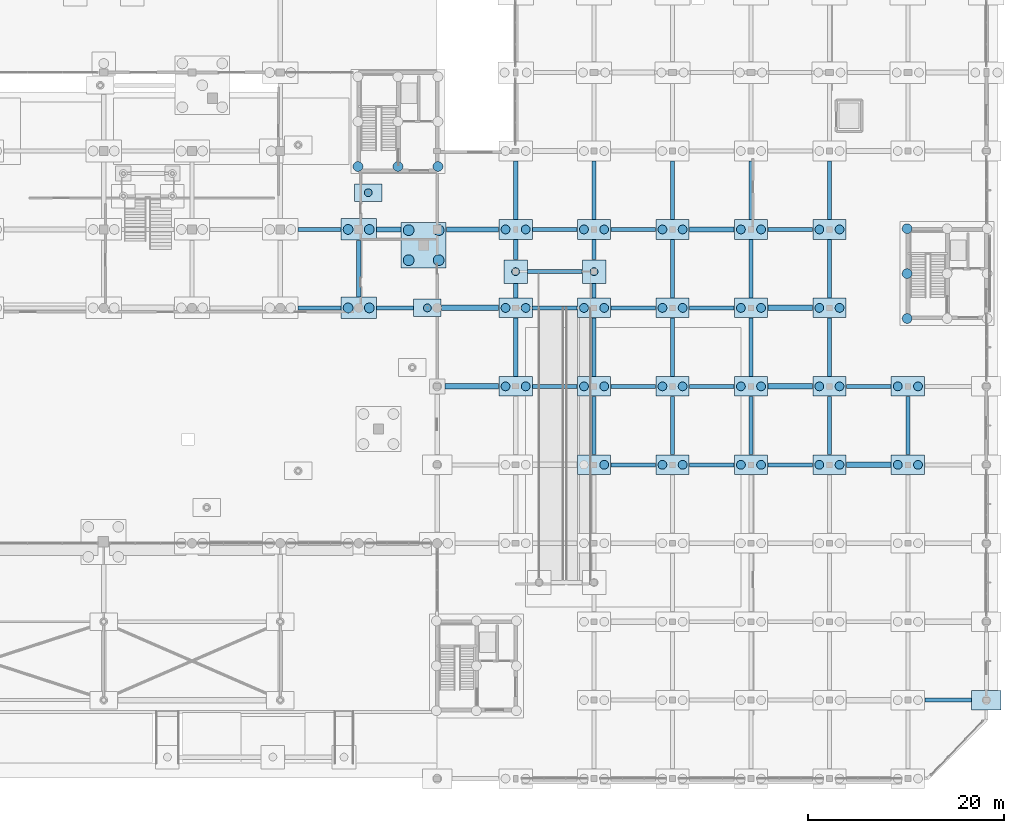
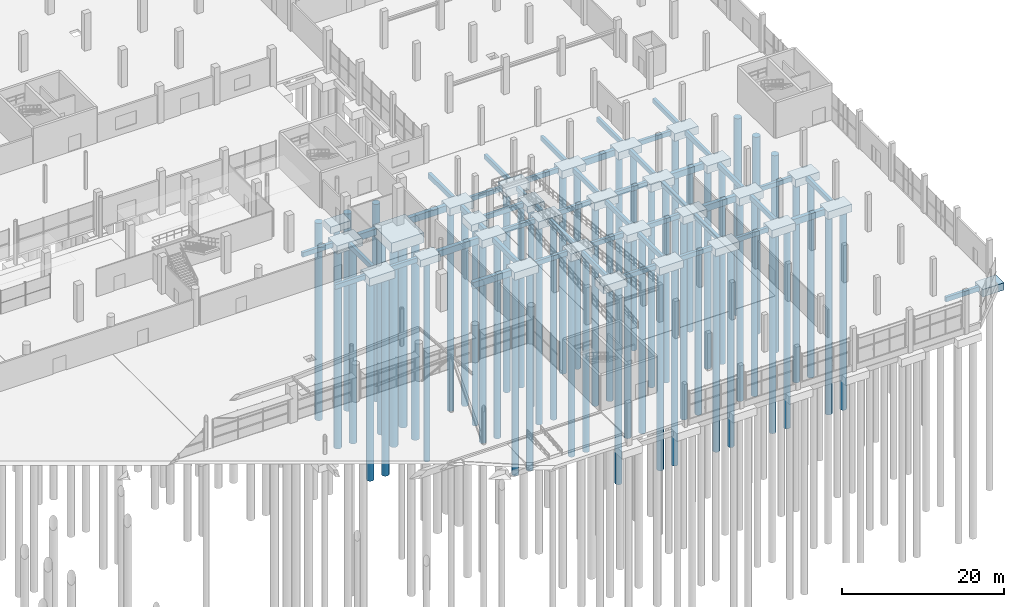
# One storey, part 8 of 98: 78 footings, 59 piles.
"""IFC4 building model written with IfcOpenShell, lengths in metres."""

from ifc_helpers import new_model, si_unit, derived_unit, direction, frame, origin, origin_2d, place, context, subcontext, project, spatial, rectangle, circle, extrude, material, layer, layer_set, material_profile, profile_set, type_object, element, save


model = new_model("IFC4")

# Units and contexts
model_context = context("Model", 3, precision=1e-05, world=origin(), true_north=direction((0.0, 1.0)))
body_context = subcontext(model_context, "Body", "Model", "MODEL_VIEW")
ifc_project = project(units=[si_unit("LENGTHUNIT", "METRE"), si_unit("AREAUNIT", "SQUARE_METRE"), si_unit("VOLUMEUNIT", "CUBIC_METRE"), si_unit("PLANEANGLEUNIT", "RADIAN"), si_unit("MASSUNIT", "GRAM", prefix="KILO"), si_unit("THERMODYNAMICTEMPERATUREUNIT", "KELVIN"), derived_unit("THERMALTRANSMITTANCEUNIT", [(si_unit("POWERUNIT", "WATT"), 1), (si_unit("AREAUNIT", "SQUARE_METRE"), -1), (si_unit("THERMODYNAMICTEMPERATUREUNIT", "KELVIN"), -1)])], contexts=[model_context])

# Site, building, storey
site_placement = place(None, origin())
site = spatial("IfcSite", under=ifc_project, at=site_placement, CompositionType="ELEMENT")
building_placement = place(site_placement, origin())
building = spatial("IfcBuilding", under=site, at=building_placement, Name="Haiyu Intermodal Mobility Hub", CompositionType="ELEMENT")
storey_placement = place(building_placement, origin())
storey = spatial("IfcBuildingStorey", under=building, at=storey_placement, Name="L00", CompositionType="ELEMENT", Elevation=0.0)

# Footings
ifc_material = material(Name="Concrete C40", Category="concrete")
ifc_layer_1 = layer(ifc_material, 1.5)
ifc_layer_set_1 = layer_set([ifc_layer_1], Name="Concrete C40")
footing_type_1 = type_object("IfcFootingType", Name="CAP-PC01", PredefinedType="PILE_CAP", material=ifc_layer_set_1)
footing_1_placement = place(storey_placement, frame((152.6259765625, 70.39306640625, -2.39990234375), z_axis=(0.0, 0.0, 1.0), x_axis=(1.0, 0.0, 0.0)))
element("IfcFooting", 1, at=footing_1_placement, inside=storey, type_object=footing_type_1, Name="Pile Cap CAP-MP-01", PredefinedType="PILE_CAP", context=body_context, shape_type="SweptSolid", body=[
    extrude(rectangle(XDim=4.60009765625, YDim=4.60009765625, at=origin_2d()), origin(), (0.0, 0.0, 1.0), 1.5),
])
ifc_layer_2 = layer(ifc_material, 1.199951171875)
ifc_layer_set_2 = layer_set([ifc_layer_2], Name="Concrete C40")
footing_type_2 = type_object("IfcFootingType", Name="CAP-PC04", PredefinedType="PILE_CAP", material=ifc_layer_set_2)
for number, where, z_axis, x_axis, name in (
    (2, (146.0, 64.0, -2.10009765625), (0.0, 0.0, 1.0), (1.0, 0.0, 0.0), "Pile Cap CAP-V1-16G"),
    (3, (146.0, 72.0, -2.10009765625), (0.0, 0.0, 1.0), (1.0, 0.0, 0.0), "Pile Cap CAP-V1-16H"),
):
    element("IfcFooting", number, at=place(storey_placement, frame(where, z_axis=z_axis, x_axis=x_axis)), inside=storey, type_object=footing_type_2, Name=name, PredefinedType="PILE_CAP", context=body_context, shape_type="SweptSolid", body=[
        extrude(rectangle(XDim=3.60009765625, YDim=2.199951171875, at=origin_2d()), origin(), (0.0, 0.0, 1.0), 1.199951171875),
    ])
ifc_layer_3 = layer(ifc_material, 1.14990234375)
ifc_layer_set_3 = layer_set([ifc_layer_3], Name="Concrete C40")
footing_type_3 = type_object("IfcFootingType", Name="CAP-PC05", PredefinedType="PILE_CAP", material=ifc_layer_set_3)
for number, where, z_axis, x_axis, name in (
    (4, (162.0, 56.0, -2.050048828125), (0.0, 0.0, 1.0), (1.0, 0.0, 0.0), "Pile Cap CAP-V5-18F"),
    (5, (162.0, 64.0, -2.050048828125), (0.0, 0.0, 1.0), (1.0, 0.0, 0.0), "Pile Cap CAP-V5-18G"),
    (6, (162.0, 72.0, -2.050048828125), (0.0, 0.0, 1.0), (1.0, 0.0, 0.0), "Pile Cap CAP-V5-18H"),
    (7, (170.0, 48.0, -2.050048828125), (0.0, 0.0, 1.0), (1.0, 0.0, 0.0), "Pile Cap CAP-V5-19E"),
    (8, (170.0, 56.0, -2.050048828125), (0.0, 0.0, 1.0), (1.0, 0.0, 0.0), "Pile Cap CAP-V5-19F"),
    (9, (170.0, 64.0, -2.050048828125), (0.0, 0.0, 1.0), (1.0, 0.0, 0.0), "Pile Cap CAP-V5-19G"),
    (10, (170.0, 72.0, -2.050048828125), (0.0, 0.0, 1.0), (1.0, 0.0, 0.0), "Pile Cap CAP-V5-19H"),
    (11, (178.0, 48.0, -2.050048828125), (0.0, 0.0, 1.0), (1.0, 0.0, 0.0), "Pile Cap CAP-V5-20E"),
    (12, (178.0, 56.0, -2.050048828125), (0.0, 0.0, 1.0), (1.0, 0.0, 0.0), "Pile Cap CAP-V5-20F"),
    (13, (178.0, 64.0, -2.050048828125), (0.0, 0.0, 1.0), (1.0, 0.0, 0.0), "Pile Cap CAP-V5-20G"),
    (14, (178.0, 72.0, -2.050048828125), (0.0, 0.0, 1.0), (1.0, 0.0, 0.0), "Pile Cap CAP-V5-20H"),
    (15, (186.0, 48.0, -2.050048828125), (0.0, 0.0, 1.0), (1.0, 0.0, 0.0), "Pile Cap CAP-V5-21E"),
    (16, (186.0, 56.0, -2.050048828125), (0.0, 0.0, 1.0), (1.0, 0.0, 0.0), "Pile Cap CAP-V5-21F"),
    (17, (186.0, 64.0, -2.050048828125), (0.0, 0.0, 1.0), (1.0, 0.0, 0.0), "Pile Cap CAP-V5-21G"),
    (18, (186.0, 72.0, -2.050048828125), (0.0, 0.0, 1.0), (1.0, 0.0, 0.0), "Pile Cap CAP-V5-21H"),
    (19, (194.0, 48.0, -2.050048828125), (0.0, 0.0, 1.0), (1.0, 0.0, 0.0), "Pile Cap CAP-V5-22E"),
    (20, (194.0, 56.0, -2.050048828125), (0.0, 0.0, 1.0), (1.0, 0.0, 0.0), "Pile Cap CAP-V5-22F"),
    (21, (194.0, 64.0, -2.050048828125), (0.0, 0.0, 1.0), (1.0, 0.0, 0.0), "Pile Cap CAP-V5-22G"),
    (22, (194.0, 72.0, -2.050048828125), (0.0, 0.0, 1.0), (1.0, 0.0, 0.0), "Pile Cap CAP-V5-22H"),
    (23, (202.0, 48.0, -2.050048828125), (0.0, 0.0, 1.0), (1.0, 0.0, 0.0), "Pile Cap CAP-V5-23E"),
    (24, (202.0, 56.0, -2.050048828125), (0.0, 0.0, 1.0), (1.0, 0.0, 0.0), "Pile Cap CAP-V5-23F"),
):
    element("IfcFooting", number, at=place(storey_placement, frame(where, z_axis=z_axis, x_axis=x_axis)), inside=storey, type_object=footing_type_3, Name=name, PredefinedType="PILE_CAP", context=body_context, shape_type="SweptSolid", body=[
        extrude(rectangle(XDim=3.39990234375, YDim=2.0, at=origin_2d()), origin(), (0.0, 0.0, 1.0), 1.14990234375),
    ])
ifc_layer_4 = layer(ifc_material, 1.050048828125)
ifc_layer_set_4 = layer_set([ifc_layer_4], Name="Concrete C40")
footing_type_4 = type_object("IfcFootingType", Name="CAP-PC07", PredefinedType="PILE_CAP", material=ifc_layer_set_4)
for number, where, z_axis, x_axis, name in (
    (25, (153.0, 64.0, -1.9501953125), (0.0, 0.0, 1.0), (1.0, 0.0, 0.0), "Pile Cap CAP-RCOL-01"),
    (26, (146.970947265625, 75.75, -1.9501953125), (0.0, 0.0, 1.0), (1.0, 0.0, 0.0), "Pile Cap CAP-RCOL-03"),
):
    element("IfcFooting", number, at=place(storey_placement, frame(where, z_axis=z_axis, x_axis=x_axis)), inside=storey, type_object=footing_type_4, Name=name, PredefinedType="PILE_CAP", context=body_context, shape_type="SweptSolid", body=[
        extrude(rectangle(XDim=2.800048828125, YDim=1.800048828125, at=origin_2d()), origin(), (0.0, 0.0, 1.0), 1.050048828125),
    ])
ifc_layer_5 = layer(ifc_material, 1.0)
ifc_layer_set_5 = layer_set([ifc_layer_5], Name="Concrete C40")
footing_type_5 = type_object("IfcFootingType", Name="CAP-PC10", PredefinedType="PILE_CAP", material=ifc_layer_set_5)
for number, where, z_axis, x_axis, name in (
    (27, (162.0, 67.699951171875, -1.89990234375), (0.0, 0.0, 1.0), (1.0, 0.0, 0.0), "Pile Cap CAP-BRMP-5"),
    (28, (170.0, 67.699951171875, -1.89990234375), (0.0, 0.0, 1.0), (1.0, 0.0, 0.0), "Pile Cap CAP-BRMP-6"),
):
    element("IfcFooting", number, at=place(storey_placement, frame(where, z_axis=z_axis, x_axis=x_axis)), inside=storey, type_object=footing_type_5, Name=name, PredefinedType="PILE_CAP", context=body_context, shape_type="SweptSolid", body=[
        extrude(rectangle(XDim=2.39990234375, YDim=2.39990234375, at=origin_2d()), origin(), (0.0, 0.0, 1.0), 1.0),
    ])
ifc_layer_6 = layer(ifc_material, 1.10009765625)
ifc_layer_set_6 = layer_set([ifc_layer_6], Name="Concrete C40")
footing_type_6 = type_object("IfcFootingType", Name="CAP-PC14", PredefinedType="PILE_CAP", material=ifc_layer_set_6)
footing_2_placement = place(storey_placement, frame((210.0, 24.0, -2.0), z_axis=(0.0, 0.0, 1.0), x_axis=(1.0, 0.0, 0.0)))
element("IfcFooting", 29, at=footing_2_placement, inside=storey, type_object=footing_type_6, Name="Pile Cap CAP-V5-24B", PredefinedType="PILE_CAP", context=body_context, shape_type="SweptSolid", body=[
    extrude(rectangle(XDim=3.0, YDim=2.0, at=origin_2d()), origin(), (0.0, 0.0, 1.0), 1.10009765625),
])
ifc_material_profile_1 = material_profile(ifc_material, rectangle(XDim=0.449951171875, YDim=0.75, at=origin_2d()), Name="FB450x750")
ifc_profile_set_1 = profile_set([ifc_material_profile_1], Name="Concrete C40")
footing_type_7 = type_object("IfcFootingType", Name="FBM-FB02", PredefinedType="FOOTING_BEAM", material=ifc_profile_set_1)
footing_3_placement = place(storey_placement, frame((146.0, 65.1298828125, -1.27490234375), z_axis=(0.0, 1.0, 0.0), x_axis=(-1.0, 0.0, 0.0)))
element("IfcFooting", 30, at=footing_3_placement, inside=storey, type_object=footing_type_7, Name="Foundation Tie Beam FBM-Y-340", PredefinedType="FOOTING_BEAM", context=body_context, shape_type="SweptSolid", body=[
    extrude(rectangle(XDim=0.449951171875, YDim=0.75, at=origin_2d()), origin(), (0.0, 0.0, 1.0), 5.740234375),
])
footing_4_placement = place(storey_placement, frame((162.0, 57.030029296875, -1.27490234375), z_axis=(0.0, 1.0, 0.0), x_axis=(-1.0, 0.0, 0.0)))
element("IfcFooting", 31, at=footing_4_placement, inside=storey, type_object=footing_type_7, Name="Foundation Tie Beam FBM-Y-352", PredefinedType="FOOTING_BEAM", context=body_context, shape_type="SweptSolid", body=[
    extrude(rectangle(XDim=0.449951171875, YDim=0.75, at=origin_2d()), origin(), (0.0, 0.0, 1.0), 5.93994140625),
])
footing_5_placement = place(storey_placement, frame((162.0, 65.030029296875, -1.27490234375), z_axis=(0.0, 1.0, 0.0), x_axis=(-1.0, 0.0, 0.0)))
element("IfcFooting", 32, at=footing_5_placement, inside=storey, type_object=footing_type_7, Name="Foundation Tie Beam FBM-Y-353", PredefinedType="FOOTING_BEAM", context=body_context, shape_type="SweptSolid", body=[
    extrude(rectangle(XDim=0.449951171875, YDim=0.75, at=origin_2d()), origin(), (0.0, 0.0, 1.0), 1.43994140625),
])
footing_6_placement = place(storey_placement, frame((162.0, 68.929931640625, -1.27490234375), z_axis=(0.0, 1.0, 0.0), x_axis=(-1.0, 0.0, 0.0)))
element("IfcFooting", 33, at=footing_6_placement, inside=storey, type_object=footing_type_7, Name="Foundation Tie Beam FBM-Y-354", PredefinedType="FOOTING_BEAM", context=body_context, shape_type="SweptSolid", body=[
    extrude(rectangle(XDim=0.449951171875, YDim=0.75, at=origin_2d()), origin(), (0.0, 0.0, 1.0), 2.0400390625),
])
footing_7_placement = place(storey_placement, frame((162.0, 73.030029296875, -1.27490234375), z_axis=(0.0, 1.0, 0.0), x_axis=(-1.0, 0.0, 0.0)))
element("IfcFooting", 34, at=footing_7_placement, inside=storey, type_object=footing_type_7, Name="Foundation Tie Beam FBM-Y-355", PredefinedType="FOOTING_BEAM", context=body_context, shape_type="SweptSolid", body=[
    extrude(rectangle(XDim=0.449951171875, YDim=0.75, at=origin_2d()), origin(), (0.0, 0.0, 1.0), 5.93994140625),
])
ifc_material_profile_2 = material_profile(ifc_material, rectangle(XDim=0.39990234375, YDim=0.699951171875, at=origin_2d()), Name="FB400x700")
ifc_profile_set_2 = profile_set([ifc_material_profile_2], Name="Concrete C40")
footing_type_8 = type_object("IfcFootingType", Name="FBM-FB03", PredefinedType="FOOTING_BEAM", material=ifc_profile_set_2)
footing_8_placement = place(storey_placement, frame((203.72998046875, 24.0, -1.25), z_axis=(1.0, 0.0, 0.0), x_axis=(0.0, 1.0, 0.0)))
element("IfcFooting", 35, at=footing_8_placement, inside=storey, type_object=footing_type_8, Name="Foundation Tie Beam FBM-X-017", PredefinedType="FOOTING_BEAM", context=body_context, shape_type="SweptSolid", body=[
    extrude(rectangle(XDim=0.39990234375, YDim=0.699951171875, at=origin_2d()), origin(), (0.0, 0.0, 1.0), 4.739990234375),
])
for number, where, z_axis, x_axis, name in (
    (36, (171.72998046875, 48.0, -1.25), (1.0, 0.0, 0.0), (0.0, 1.0, 0.0), "Foundation Tie Beam FBM-X-045"),
    (37, (179.72998046875, 48.0, -1.25), (1.0, 0.0, 0.0), (0.0, 1.0, 0.0), "Foundation Tie Beam FBM-X-046"),
    (38, (187.72998046875, 48.0, -1.25), (1.0, 0.0, 0.0), (0.0, 1.0, 0.0), "Foundation Tie Beam FBM-X-047"),
    (39, (163.72998046875, 56.0, -1.25), (1.0, 0.0, 0.0), (0.0, 1.0, 0.0), "Foundation Tie Beam FBM-X-053"),
    (40, (171.72998046875, 56.0, -1.25), (1.0, 0.0, 0.0), (0.0, 1.0, 0.0), "Foundation Tie Beam FBM-X-054"),
    (41, (179.72998046875, 56.0, -1.25), (1.0, 0.0, 0.0), (0.0, 1.0, 0.0), "Foundation Tie Beam FBM-X-055"),
    (42, (195.72998046875, 56.0, -1.25), (1.0, 0.0, 0.0), (0.0, 1.0, 0.0), "Foundation Tie Beam FBM-X-057"),
):
    element("IfcFooting", number, at=place(storey_placement, frame(where, z_axis=z_axis, x_axis=x_axis)), inside=storey, type_object=footing_type_8, Name=name, PredefinedType="FOOTING_BEAM", context=body_context, shape_type="SweptSolid", body=[
        extrude(rectangle(XDim=0.39990234375, YDim=0.699951171875, at=origin_2d()), origin(), (0.0, 0.0, 1.0), 4.5400390625),
    ])
footing_9_placement = place(storey_placement, frame((139.830078125, 64.0, -1.25), z_axis=(1.0, 0.0, 0.0), x_axis=(0.0, 1.0, 0.0)))
element("IfcFooting", 43, at=footing_9_placement, inside=storey, type_object=footing_type_8, Name="Foundation Tie Beam FBM-X-070", PredefinedType="FOOTING_BEAM", context=body_context, shape_type="SweptSolid", body=[
    extrude(rectangle(XDim=0.39990234375, YDim=0.699951171875, at=origin_2d()), origin(), (0.0, 0.0, 1.0), 4.33984375),
])
footing_10_placement = place(storey_placement, frame((147.830078125, 64.0, -1.25), z_axis=(1.0, 0.0, 0.0), x_axis=(0.0, 1.0, 0.0)))
element("IfcFooting", 44, at=footing_10_placement, inside=storey, type_object=footing_type_8, Name="Foundation Tie Beam FBM-X-071", PredefinedType="FOOTING_BEAM", context=body_context, shape_type="SweptSolid", body=[
    extrude(rectangle(XDim=0.39990234375, YDim=0.699951171875, at=origin_2d()), origin(), (0.0, 0.0, 1.0), 3.739990234375),
])
for number, where, z_axis, x_axis, name in (
    (45, (163.72998046875, 64.0, -1.25), (1.0, 0.0, 0.0), (0.0, 1.0, 0.0), "Foundation Tie Beam FBM-X-073"),
    (46, (171.72998046875, 64.0, -1.25), (1.0, 0.0, 0.0), (0.0, 1.0, 0.0), "Foundation Tie Beam FBM-X-074"),
    (47, (179.72998046875, 64.0, -1.25), (1.0, 0.0, 0.0), (0.0, 1.0, 0.0), "Foundation Tie Beam FBM-X-075"),
):
    element("IfcFooting", number, at=place(storey_placement, frame(where, z_axis=z_axis, x_axis=x_axis)), inside=storey, type_object=footing_type_8, Name=name, PredefinedType="FOOTING_BEAM", context=body_context, shape_type="SweptSolid", body=[
        extrude(rectangle(XDim=0.39990234375, YDim=0.699951171875, at=origin_2d()), origin(), (0.0, 0.0, 1.0), 4.5400390625),
    ])
footing_11_placement = place(storey_placement, frame((163.22998046875, 67.699951171875, -1.25), z_axis=(1.0, 0.0, 0.0), x_axis=(0.0, 1.0, 0.0)))
element("IfcFooting", 48, at=footing_11_placement, inside=storey, type_object=footing_type_8, Name="Foundation Tie Beam FBM-X-078", PredefinedType="FOOTING_BEAM", context=body_context, shape_type="SweptSolid", body=[
    extrude(rectangle(XDim=0.39990234375, YDim=0.699951171875, at=origin_2d()), origin(), (0.0, 0.0, 1.0), 5.5400390625),
])
footing_12_placement = place(storey_placement, frame((139.830078125, 72.0, -1.25), z_axis=(1.0, 0.0, 0.0), x_axis=(0.0, 1.0, 0.0)))
element("IfcFooting", 49, at=footing_12_placement, inside=storey, type_object=footing_type_8, Name="Foundation Tie Beam FBM-X-087", PredefinedType="FOOTING_BEAM", context=body_context, shape_type="SweptSolid", body=[
    extrude(rectangle(XDim=0.39990234375, YDim=0.699951171875, at=origin_2d()), origin(), (0.0, 0.0, 1.0), 4.33984375),
])
for number, where, z_axis, x_axis, name in (
    (50, (163.72998046875, 72.0, -1.25), (1.0, 0.0, 0.0), (0.0, 1.0, 0.0), "Foundation Tie Beam FBM-X-090"),
    (51, (171.72998046875, 72.0, -1.25), (1.0, 0.0, 0.0), (0.0, 1.0, 0.0), "Foundation Tie Beam FBM-X-091"),
    (52, (187.72998046875, 72.0, -1.25), (1.0, 0.0, 0.0), (0.0, 1.0, 0.0), "Foundation Tie Beam FBM-X-093"),
):
    element("IfcFooting", number, at=place(storey_placement, frame(where, z_axis=z_axis, x_axis=x_axis)), inside=storey, type_object=footing_type_8, Name=name, PredefinedType="FOOTING_BEAM", context=body_context, shape_type="SweptSolid", body=[
        extrude(rectangle(XDim=0.39990234375, YDim=0.699951171875, at=origin_2d()), origin(), (0.0, 0.0, 1.0), 4.5400390625),
    ])
for number, where, z_axis, x_axis, name in (
    (53, (170.0, 49.030029296875, -1.25), (0.0, 1.0, 0.0), (-1.0, 0.0, 0.0), "Foundation Tie Beam FBM-Y-367"),
    (54, (170.0, 57.030029296875, -1.25), (0.0, 1.0, 0.0), (-1.0, 0.0, 0.0), "Foundation Tie Beam FBM-Y-368"),
):
    element("IfcFooting", number, at=place(storey_placement, frame(where, z_axis=z_axis, x_axis=x_axis)), inside=storey, type_object=footing_type_8, Name=name, PredefinedType="FOOTING_BEAM", context=body_context, shape_type="SweptSolid", body=[
        extrude(rectangle(XDim=0.39990234375, YDim=0.699951171875, at=origin_2d()), origin(), (0.0, 0.0, 1.0), 5.93994140625),
    ])
footing_13_placement = place(storey_placement, frame((170.0, 65.030029296875, -1.25), z_axis=(0.0, 1.0, 0.0), x_axis=(-1.0, 0.0, 0.0)))
element("IfcFooting", 55, at=footing_13_placement, inside=storey, type_object=footing_type_8, Name="Foundation Tie Beam FBM-Y-369", PredefinedType="FOOTING_BEAM", context=body_context, shape_type="SweptSolid", body=[
    extrude(rectangle(XDim=0.39990234375, YDim=0.699951171875, at=origin_2d()), origin(), (0.0, 0.0, 1.0), 1.43994140625),
])
footing_14_placement = place(storey_placement, frame((170.0, 68.929931640625, -1.25), z_axis=(0.0, 1.0, 0.0), x_axis=(-1.0, 0.0, 0.0)))
element("IfcFooting", 56, at=footing_14_placement, inside=storey, type_object=footing_type_8, Name="Foundation Tie Beam FBM-Y-370", PredefinedType="FOOTING_BEAM", context=body_context, shape_type="SweptSolid", body=[
    extrude(rectangle(XDim=0.39990234375, YDim=0.699951171875, at=origin_2d()), origin(), (0.0, 0.0, 1.0), 2.0400390625),
])
for number, where, z_axis, x_axis, name in (
    (57, (170.0, 73.030029296875, -1.25), (0.0, 1.0, 0.0), (-1.0, 0.0, 0.0), "Foundation Tie Beam FBM-Y-371"),
    (58, (178.0, 49.030029296875, -1.25), (0.0, 1.0, 0.0), (-1.0, 0.0, 0.0), "Foundation Tie Beam FBM-Y-384"),
    (59, (178.0, 57.030029296875, -1.25), (0.0, 1.0, 0.0), (-1.0, 0.0, 0.0), "Foundation Tie Beam FBM-Y-385"),
    (60, (178.0, 65.030029296875, -1.25), (0.0, 1.0, 0.0), (-1.0, 0.0, 0.0), "Foundation Tie Beam FBM-Y-386"),
    (61, (178.0, 73.030029296875, -1.25), (0.0, 1.0, 0.0), (-1.0, 0.0, 0.0), "Foundation Tie Beam FBM-Y-387"),
    (62, (186.0, 49.030029296875, -1.25), (0.0, 1.0, 0.0), (-1.0, 0.0, 0.0), "Foundation Tie Beam FBM-Y-400"),
    (63, (186.0, 57.030029296875, -1.25), (0.0, 1.0, 0.0), (-1.0, 0.0, 0.0), "Foundation Tie Beam FBM-Y-401"),
    (64, (186.0, 65.030029296875, -1.25), (0.0, 1.0, 0.0), (-1.0, 0.0, 0.0), "Foundation Tie Beam FBM-Y-402"),
    (65, (186.0, 73.030029296875, -1.25), (0.0, 1.0, 0.0), (-1.0, 0.0, 0.0), "Foundation Tie Beam FBM-Y-403"),
    (66, (194.0, 49.030029296875, -1.25), (0.0, 1.0, 0.0), (-1.0, 0.0, 0.0), "Foundation Tie Beam FBM-Y-416"),
    (67, (194.0, 57.030029296875, -1.25), (0.0, 1.0, 0.0), (-1.0, 0.0, 0.0), "Foundation Tie Beam FBM-Y-417"),
    (68, (194.0, 65.030029296875, -1.25), (0.0, 1.0, 0.0), (-1.0, 0.0, 0.0), "Foundation Tie Beam FBM-Y-418"),
    (69, (194.0, 73.030029296875, -1.25), (0.0, 1.0, 0.0), (-1.0, 0.0, 0.0), "Foundation Tie Beam FBM-Y-419"),
    (70, (202.0, 49.030029296875, -1.25), (0.0, 1.0, 0.0), (-1.0, 0.0, 0.0), "Foundation Tie Beam FBM-Y-432"),
):
    element("IfcFooting", number, at=place(storey_placement, frame(where, z_axis=z_axis, x_axis=x_axis)), inside=storey, type_object=footing_type_8, Name=name, PredefinedType="FOOTING_BEAM", context=body_context, shape_type="SweptSolid", body=[
        extrude(rectangle(XDim=0.39990234375, YDim=0.699951171875, at=origin_2d()), origin(), (0.0, 0.0, 1.0), 5.93994140625),
    ])
ifc_material_profile_3 = material_profile(ifc_material, rectangle(XDim=0.550048828125, YDim=0.949951171875, at=origin_2d()), Name="FB550x950")
ifc_profile_set_3 = profile_set([ifc_material_profile_3], Name="Concrete C40")
footing_type_9 = type_object("IfcFootingType", Name="FBM-FB04", PredefinedType="FOOTING_BEAM", material=ifc_profile_set_3)
footing_15_placement = place(storey_placement, frame((195.72998046875, 48.0, -1.375), z_axis=(1.0, 0.0, 0.0), x_axis=(0.0, 1.0, 0.0)))
element("IfcFooting", 71, at=footing_15_placement, inside=storey, type_object=footing_type_9, Name="Foundation Tie Beam FBM-X-048", PredefinedType="FOOTING_BEAM", context=body_context, shape_type="SweptSolid", body=[
    extrude(rectangle(XDim=0.550048828125, YDim=0.949951171875, at=origin_2d()), origin(), (0.0, 0.0, 1.0), 4.5400390625),
])
footing_16_placement = place(storey_placement, frame((154.804931640625, 56.0, -1.375), z_axis=(1.0, 0.0, 0.0), x_axis=(0.0, 1.0, 0.0)))
element("IfcFooting", 72, at=footing_16_placement, inside=storey, type_object=footing_type_9, Name="Foundation Tie Beam FBM-X-052", PredefinedType="FOOTING_BEAM", context=body_context, shape_type="SweptSolid", body=[
    extrude(rectangle(XDim=0.550048828125, YDim=0.949951171875, at=origin_2d()), origin(), (0.0, 0.0, 1.0), 5.465087890625),
])
footing_17_placement = place(storey_placement, frame((187.72998046875, 56.0, -1.375), z_axis=(1.0, 0.0, 0.0), x_axis=(0.0, 1.0, 0.0)))
element("IfcFooting", 73, at=footing_17_placement, inside=storey, type_object=footing_type_9, Name="Foundation Tie Beam FBM-X-056", PredefinedType="FOOTING_BEAM", context=body_context, shape_type="SweptSolid", body=[
    extrude(rectangle(XDim=0.550048828125, YDim=0.949951171875, at=origin_2d()), origin(), (0.0, 0.0, 1.0), 4.5400390625),
])
footing_18_placement = place(storey_placement, frame((154.429931640625, 64.0, -1.375), z_axis=(1.0, 0.0, 0.0), x_axis=(0.0, 1.0, 0.0)))
element("IfcFooting", 74, at=footing_18_placement, inside=storey, type_object=footing_type_9, Name="Foundation Tie Beam FBM-X-072", PredefinedType="FOOTING_BEAM", context=body_context, shape_type="SweptSolid", body=[
    extrude(rectangle(XDim=0.550048828125, YDim=0.949951171875, at=origin_2d()), origin(), (0.0, 0.0, 1.0), 5.840087890625),
])
footing_19_placement = place(storey_placement, frame((187.72998046875, 64.0, -1.375), z_axis=(1.0, 0.0, 0.0), x_axis=(0.0, 1.0, 0.0)))
element("IfcFooting", 75, at=footing_19_placement, inside=storey, type_object=footing_type_9, Name="Foundation Tie Beam FBM-X-076", PredefinedType="FOOTING_BEAM", context=body_context, shape_type="SweptSolid", body=[
    extrude(rectangle(XDim=0.550048828125, YDim=0.949951171875, at=origin_2d()), origin(), (0.0, 0.0, 1.0), 4.5400390625),
])
footing_20_placement = place(storey_placement, frame((147.830078125, 72.0, -1.375), z_axis=(1.0, 0.0, 0.0), x_axis=(0.0, 1.0, 0.0)))
element("IfcFooting", 76, at=footing_20_placement, inside=storey, type_object=footing_type_9, Name="Foundation Tie Beam FBM-X-088", PredefinedType="FOOTING_BEAM", context=body_context, shape_type="SweptSolid", body=[
    extrude(rectangle(XDim=0.550048828125, YDim=0.949951171875, at=origin_2d()), origin(), (0.0, 0.0, 1.0), 2.4658203125),
])
footing_21_placement = place(storey_placement, frame((154.9560546875, 72.0, -1.375), z_axis=(1.0, 0.0, 0.0), x_axis=(0.0, 1.0, 0.0)))
element("IfcFooting", 77, at=footing_21_placement, inside=storey, type_object=footing_type_9, Name="Foundation Tie Beam FBM-X-089", PredefinedType="FOOTING_BEAM", context=body_context, shape_type="SweptSolid", body=[
    extrude(rectangle(XDim=0.550048828125, YDim=0.949951171875, at=origin_2d()), origin(), (0.0, 0.0, 1.0), 5.31396484375),
])
footing_22_placement = place(storey_placement, frame((179.72998046875, 72.0, -1.375), z_axis=(1.0, 0.0, 0.0), x_axis=(0.0, 1.0, 0.0)))
element("IfcFooting", 78, at=footing_22_placement, inside=storey, type_object=footing_type_9, Name="Foundation Tie Beam FBM-X-092", PredefinedType="FOOTING_BEAM", context=body_context, shape_type="SweptSolid", body=[
    extrude(rectangle(XDim=0.550048828125, YDim=0.949951171875, at=origin_2d()), origin(), (0.0, 0.0, 1.0), 4.5400390625),
])

# Piles
ifc_material_profile_4 = material_profile(ifc_material, circle(Radius=0.550048828125, at=origin_2d()), Name="PILE-D1100")
ifc_profile_set_4 = profile_set([ifc_material_profile_4], Name="Concrete C40")
pile_type_1 = type_object("IfcPileType", Name="PILE-PL01", PredefinedType="BORED", material=ifc_profile_set_4)
for number, where, z_axis, x_axis, name in (
    (79, (151.095947265625, 68.863037109375, -2.300048828125), (0.0, 0.0, -1.0), (1.0, 0.0, 0.0), "Bored Pile CAP-MP-01-P1"),
    (80, (154.156005859375, 68.863037109375, -2.300048828125), (0.0, 0.0, -1.0), (1.0, 0.0, 0.0), "Bored Pile CAP-MP-01-P2"),
    (81, (151.095947265625, 71.923095703125, -2.300048828125), (0.0, 0.0, -1.0), (1.0, 0.0, 0.0), "Bored Pile CAP-MP-01-P3"),
    (82, (154.156005859375, 71.923095703125, -2.300048828125), (0.0, 0.0, -1.0), (1.0, 0.0, 0.0), "Bored Pile CAP-MP-01-P4"),
):
    element("IfcPile", number, at=place(storey_placement, frame(where, z_axis=z_axis, x_axis=x_axis)), inside=storey, type_object=pile_type_1, Name=name, PredefinedType="BORED", context=body_context, shape_type="SweptSolid", body=[
        extrude(circle(Radius=0.550048828125, at=origin_2d()), origin(), (0.0, 0.0, 1.0), 29.699951171875),
    ])
ifc_material_profile_5 = material_profile(ifc_material, circle(Radius=0.5, at=origin_2d()), Name="PILE-D1000")
ifc_profile_set_5 = profile_set([ifc_material_profile_5], Name="Concrete C40")
pile_type_2 = type_object("IfcPileType", Name="PILE-PL02", PredefinedType="BORED", material=ifc_profile_set_5)
for number, where, z_axis, x_axis, name in (
    (83, (145.919921875, 78.419921875, -2.300048828125), (0.0, 0.0, -1.0), (1.0, 0.0, 0.0), "Bored Pile CAP-CORE-C2-P1"),
    (84, (150.0, 78.419921875, -2.300048828125), (0.0, 0.0, -1.0), (1.0, 0.0, 0.0), "Bored Pile CAP-CORE-C2-P4"),
    (85, (154.080078125, 78.419921875, -2.300048828125), (0.0, 0.0, -1.0), (1.0, 0.0, 0.0), "Bored Pile CAP-CORE-C2-P7"),
    (86, (201.919921875, 62.919921875, -2.300048828125), (0.0, 0.0, -1.0), (1.0, 0.0, 0.0), "Bored Pile CAP-CORE-C9-P1"),
    (87, (201.919921875, 67.5, -2.300048828125), (0.0, 0.0, -1.0), (1.0, 0.0, 0.0), "Bored Pile CAP-CORE-C9-P2"),
    (88, (201.919921875, 72.080078125, -2.300048828125), (0.0, 0.0, -1.0), (1.0, 0.0, 0.0), "Bored Pile CAP-CORE-C9-P3"),
):
    element("IfcPile", number, at=place(storey_placement, frame(where, z_axis=z_axis, x_axis=x_axis)), inside=storey, type_object=pile_type_2, Name=name, PredefinedType="BORED", context=body_context, shape_type="SweptSolid", body=[
        extrude(circle(Radius=0.5, at=origin_2d()), origin(), (0.0, 0.0, 1.0), 29.699951171875),
    ])
for number, where, z_axis, x_axis, name in (
    (89, (144.919921875, 64.0, -2.0), (0.0, 0.0, -1.0), (1.0, 0.0, 0.0), "Bored Pile CAP-V1-16G-P1"),
    (90, (147.080078125, 64.0, -2.0), (0.0, 0.0, -1.0), (1.0, 0.0, 0.0), "Bored Pile CAP-V1-16G-P2"),
    (91, (144.919921875, 72.0, -2.0), (0.0, 0.0, -1.0), (1.0, 0.0, 0.0), "Bored Pile CAP-V1-16H-P1"),
    (92, (147.080078125, 72.0, -2.0), (0.0, 0.0, -1.0), (1.0, 0.0, 0.0), "Bored Pile CAP-V1-16H-P2"),
):
    element("IfcPile", number, at=place(storey_placement, frame(where, z_axis=z_axis, x_axis=x_axis)), inside=storey, type_object=pile_type_2, Name=name, PredefinedType="BORED", context=body_context, shape_type="SweptSolid", body=[
        extrude(circle(Radius=0.5, at=origin_2d()), origin(), (0.0, 0.0, 1.0), 30.0),
    ])
ifc_material_profile_6 = material_profile(ifc_material, circle(Radius=0.449951171875, at=origin_2d()), Name="PILE-D900")
ifc_profile_set_6 = profile_set([ifc_material_profile_6], Name="Concrete C40")
pile_type_3 = type_object("IfcPileType", Name="PILE-PL03", PredefinedType="BORED", material=ifc_profile_set_6)
for number, where, z_axis, x_axis, name in (
    (93, (160.969970703125, 56.0, -1.949951171875), (0.0, 0.0, -1.0), (1.0, 0.0, 0.0), "Bored Pile CAP-V5-18F-P1"),
    (94, (163.030029296875, 56.0, -1.949951171875), (0.0, 0.0, -1.0), (1.0, 0.0, 0.0), "Bored Pile CAP-V5-18F-P2"),
    (95, (160.969970703125, 64.0, -1.949951171875), (0.0, 0.0, -1.0), (1.0, 0.0, 0.0), "Bored Pile CAP-V5-18G-P1"),
    (96, (163.030029296875, 64.0, -1.949951171875), (0.0, 0.0, -1.0), (1.0, 0.0, 0.0), "Bored Pile CAP-V5-18G-P2"),
    (97, (160.969970703125, 72.0, -1.949951171875), (0.0, 0.0, -1.0), (1.0, 0.0, 0.0), "Bored Pile CAP-V5-18H-P1"),
    (98, (163.030029296875, 72.0, -1.949951171875), (0.0, 0.0, -1.0), (1.0, 0.0, 0.0), "Bored Pile CAP-V5-18H-P2"),
    (99, (171.030029296875, 48.0, -1.949951171875), (0.0, 0.0, -1.0), (1.0, 0.0, 0.0), "Bored Pile CAP-V5-19E-P2"),
    (100, (168.969970703125, 56.0, -1.949951171875), (0.0, 0.0, -1.0), (1.0, 0.0, 0.0), "Bored Pile CAP-V5-19F-P1"),
    (101, (171.030029296875, 56.0, -1.949951171875), (0.0, 0.0, -1.0), (1.0, 0.0, 0.0), "Bored Pile CAP-V5-19F-P2"),
    (102, (168.969970703125, 64.0, -1.949951171875), (0.0, 0.0, -1.0), (1.0, 0.0, 0.0), "Bored Pile CAP-V5-19G-P1"),
    (103, (171.030029296875, 64.0, -1.949951171875), (0.0, 0.0, -1.0), (1.0, 0.0, 0.0), "Bored Pile CAP-V5-19G-P2"),
    (104, (168.969970703125, 72.0, -1.949951171875), (0.0, 0.0, -1.0), (1.0, 0.0, 0.0), "Bored Pile CAP-V5-19H-P1"),
    (105, (171.030029296875, 72.0, -1.949951171875), (0.0, 0.0, -1.0), (1.0, 0.0, 0.0), "Bored Pile CAP-V5-19H-P2"),
    (106, (176.969970703125, 48.0, -1.949951171875), (0.0, 0.0, -1.0), (1.0, 0.0, 0.0), "Bored Pile CAP-V5-20E-P1"),
    (107, (179.030029296875, 48.0, -1.949951171875), (0.0, 0.0, -1.0), (1.0, 0.0, 0.0), "Bored Pile CAP-V5-20E-P2"),
    (108, (176.969970703125, 56.0, -1.949951171875), (0.0, 0.0, -1.0), (1.0, 0.0, 0.0), "Bored Pile CAP-V5-20F-P1"),
    (109, (179.030029296875, 56.0, -1.949951171875), (0.0, 0.0, -1.0), (1.0, 0.0, 0.0), "Bored Pile CAP-V5-20F-P2"),
    (110, (176.969970703125, 64.0, -1.949951171875), (0.0, 0.0, -1.0), (1.0, 0.0, 0.0), "Bored Pile CAP-V5-20G-P1"),
    (111, (179.030029296875, 64.0, -1.949951171875), (0.0, 0.0, -1.0), (1.0, 0.0, 0.0), "Bored Pile CAP-V5-20G-P2"),
    (112, (176.969970703125, 72.0, -1.949951171875), (0.0, 0.0, -1.0), (1.0, 0.0, 0.0), "Bored Pile CAP-V5-20H-P1"),
    (113, (179.030029296875, 72.0, -1.949951171875), (0.0, 0.0, -1.0), (1.0, 0.0, 0.0), "Bored Pile CAP-V5-20H-P2"),
    (114, (184.969970703125, 48.0, -1.949951171875), (0.0, 0.0, -1.0), (1.0, 0.0, 0.0), "Bored Pile CAP-V5-21E-P1"),
    (115, (187.030029296875, 48.0, -1.949951171875), (0.0, 0.0, -1.0), (1.0, 0.0, 0.0), "Bored Pile CAP-V5-21E-P2"),
    (116, (184.969970703125, 56.0, -1.949951171875), (0.0, 0.0, -1.0), (1.0, 0.0, 0.0), "Bored Pile CAP-V5-21F-P1"),
    (117, (187.030029296875, 56.0, -1.949951171875), (0.0, 0.0, -1.0), (1.0, 0.0, 0.0), "Bored Pile CAP-V5-21F-P2"),
    (118, (184.969970703125, 64.0, -1.949951171875), (0.0, 0.0, -1.0), (1.0, 0.0, 0.0), "Bored Pile CAP-V5-21G-P1"),
    (119, (187.030029296875, 64.0, -1.949951171875), (0.0, 0.0, -1.0), (1.0, 0.0, 0.0), "Bored Pile CAP-V5-21G-P2"),
    (120, (184.969970703125, 72.0, -1.949951171875), (0.0, 0.0, -1.0), (1.0, 0.0, 0.0), "Bored Pile CAP-V5-21H-P1"),
    (121, (187.030029296875, 72.0, -1.949951171875), (0.0, 0.0, -1.0), (1.0, 0.0, 0.0), "Bored Pile CAP-V5-21H-P2"),
    (122, (192.969970703125, 48.0, -1.949951171875), (0.0, 0.0, -1.0), (1.0, 0.0, 0.0), "Bored Pile CAP-V5-22E-P1"),
    (123, (195.030029296875, 48.0, -1.949951171875), (0.0, 0.0, -1.0), (1.0, 0.0, 0.0), "Bored Pile CAP-V5-22E-P2"),
    (124, (192.969970703125, 56.0, -1.949951171875), (0.0, 0.0, -1.0), (1.0, 0.0, 0.0), "Bored Pile CAP-V5-22F-P1"),
    (125, (195.030029296875, 56.0, -1.949951171875), (0.0, 0.0, -1.0), (1.0, 0.0, 0.0), "Bored Pile CAP-V5-22F-P2"),
    (126, (192.969970703125, 64.0, -1.949951171875), (0.0, 0.0, -1.0), (1.0, 0.0, 0.0), "Bored Pile CAP-V5-22G-P1"),
    (127, (195.030029296875, 64.0, -1.949951171875), (0.0, 0.0, -1.0), (1.0, 0.0, 0.0), "Bored Pile CAP-V5-22G-P2"),
    (128, (192.969970703125, 72.0, -1.949951171875), (0.0, 0.0, -1.0), (1.0, 0.0, 0.0), "Bored Pile CAP-V5-22H-P1"),
    (129, (195.030029296875, 72.0, -1.949951171875), (0.0, 0.0, -1.0), (1.0, 0.0, 0.0), "Bored Pile CAP-V5-22H-P2"),
    (130, (200.969970703125, 48.0, -1.949951171875), (0.0, 0.0, -1.0), (1.0, 0.0, 0.0), "Bored Pile CAP-V5-23E-P1"),
    (131, (203.030029296875, 48.0, -1.949951171875), (0.0, 0.0, -1.0), (1.0, 0.0, 0.0), "Bored Pile CAP-V5-23E-P2"),
    (132, (200.969970703125, 56.0, -1.949951171875), (0.0, 0.0, -1.0), (1.0, 0.0, 0.0), "Bored Pile CAP-V5-23F-P1"),
    (133, (203.030029296875, 56.0, -1.949951171875), (0.0, 0.0, -1.0), (1.0, 0.0, 0.0), "Bored Pile CAP-V5-23F-P2"),
):
    element("IfcPile", number, at=place(storey_placement, frame(where, z_axis=z_axis, x_axis=x_axis)), inside=storey, type_object=pile_type_3, Name=name, PredefinedType="BORED", context=body_context, shape_type="SweptSolid", body=[
        extrude(circle(Radius=0.449951171875, at=origin_2d()), origin(), (0.0, 0.0, 1.0), 30.050048828125),
    ])
ifc_material_profile_7 = material_profile(ifc_material, circle(Radius=0.39990234375, at=origin_2d()), Name="PILE-D800")
ifc_profile_set_7 = profile_set([ifc_material_profile_7], Name="Concrete C40")
pile_type_4 = type_object("IfcPileType", Name="PILE-PL04", PredefinedType="BORED", material=ifc_profile_set_7)
for number, where, z_axis, x_axis, name in (
    (134, (153.0, 64.0, -1.85009765625), (0.0, 0.0, -1.0), (1.0, 0.0, 0.0), "Bored Pile CAP-RCOL-01-P1"),
    (135, (146.970947265625, 75.75, -1.85009765625), (0.0, 0.0, -1.0), (1.0, 0.0, 0.0), "Bored Pile CAP-RCOL-03-P1"),
):
    element("IfcPile", number, at=place(storey_placement, frame(where, z_axis=z_axis, x_axis=x_axis)), inside=storey, type_object=pile_type_4, Name=name, PredefinedType="BORED", context=body_context, shape_type="SweptSolid", body=[
        extrude(circle(Radius=0.39990234375, at=origin_2d()), origin(), (0.0, 0.0, 1.0), 30.14990234375),
    ])
for number, where, z_axis, x_axis, name in (
    (136, (162.0, 67.699951171875, -1.800048828125), (0.0, 0.0, -1.0), (1.0, 0.0, 0.0), "Bored Pile CAP-BRMP-5-P1"),
    (137, (170.0, 67.699951171875, -1.800048828125), (0.0, 0.0, -1.0), (1.0, 0.0, 0.0), "Bored Pile CAP-BRMP-6-P1"),
):
    element("IfcPile", number, at=place(storey_placement, frame(where, z_axis=z_axis, x_axis=x_axis)), inside=storey, type_object=pile_type_4, Name=name, PredefinedType="BORED", context=body_context, shape_type="SweptSolid", body=[
        extrude(circle(Radius=0.39990234375, at=origin_2d()), origin(), (0.0, 0.0, 1.0), 30.199951171875),
    ])

save(model, "model.ifc")
